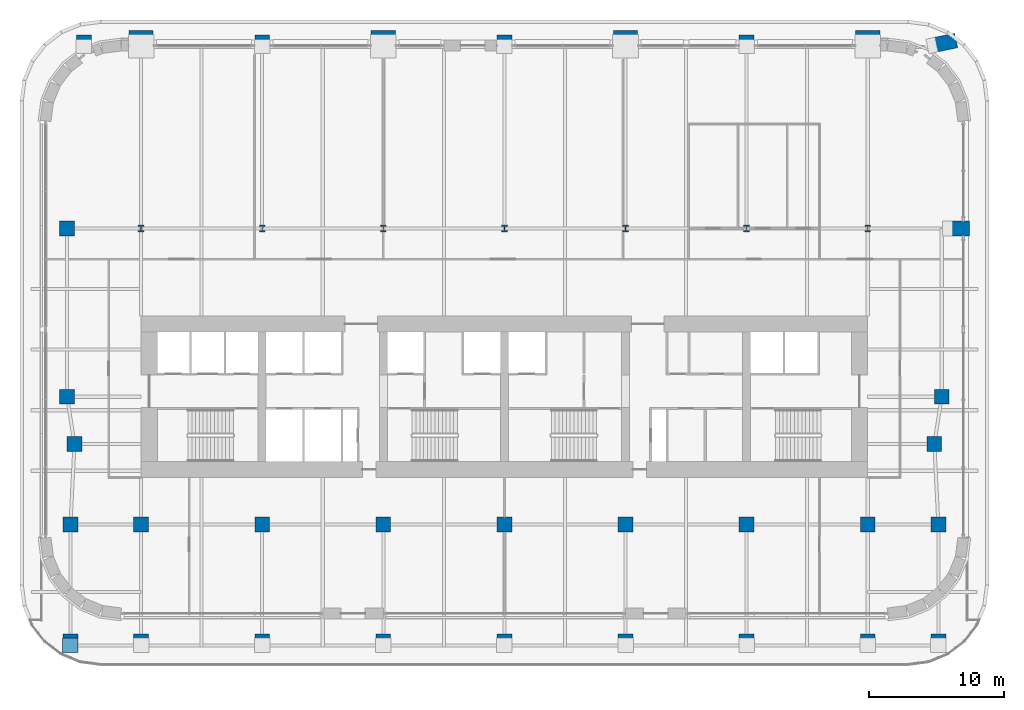
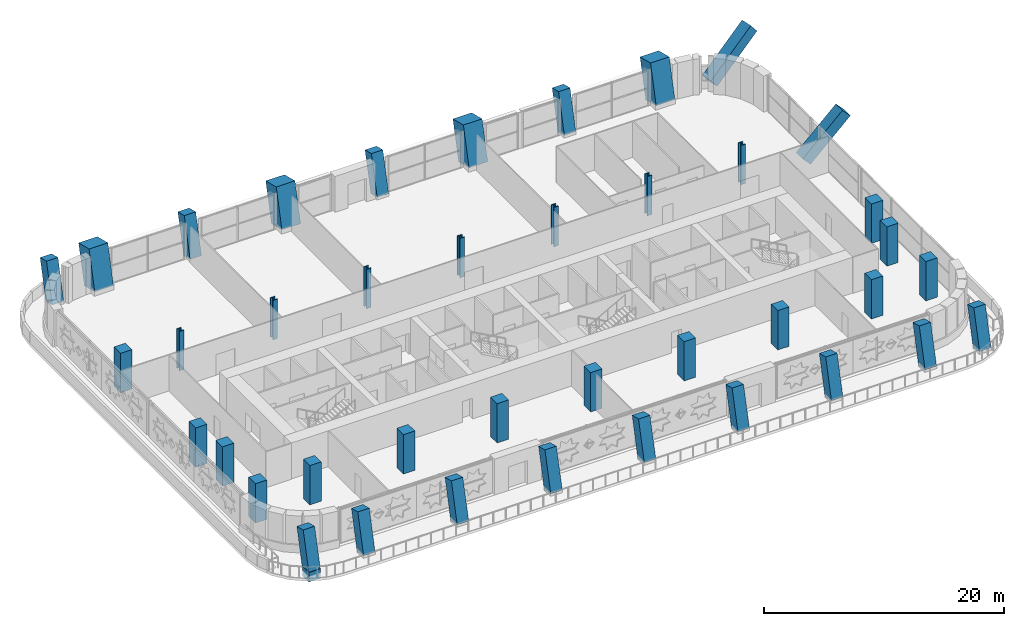
# One storey, part 1 of 26: 40 columns, 1 beam.
"""IFC4 building model written with IfcOpenShell, lengths in metres."""

from ifc_helpers import new_model, si_unit, direction, frame, origin, origin_2d, place, context, subcontext, project, spatial, rectangle, i_section, extrude, clip, halfspace, material, material_profile, profile_set, type_object, element, save


model = new_model("IFC4")

# Units and contexts
model_context = context("Model", 3, precision=1e-05, world=origin(), true_north=direction((0.0, 1.0)))
body_context = subcontext(model_context, "Body", "Model", "MODEL_VIEW")
ifc_project = project(units=[si_unit("LENGTHUNIT", "METRE"), si_unit("AREAUNIT", "SQUARE_METRE"), si_unit("VOLUMEUNIT", "CUBIC_METRE"), si_unit("PLANEANGLEUNIT", "RADIAN"), si_unit("MASSUNIT", "GRAM", prefix="KILO")], contexts=[model_context])

# Site, building, storey
site_placement = place(None, origin())
site = spatial("IfcSite", under=ifc_project, at=site_placement, CompositionType="ELEMENT")
building_placement = place(site_placement, origin())
building = spatial("IfcBuilding", under=site, at=building_placement, Name="Zellij Exchange Tower", CompositionType="ELEMENT")
storey_placement = place(building_placement, frame((0.0, 0.0, 100.5)))
storey = spatial("IfcBuildingStorey", under=building, at=storey_placement, Name="L21", CompositionType="ELEMENT", Elevation=100.5)

# Columns
ifc_material_1 = material(Name="Concrete C70/85", Category="concrete")
ifc_material_profile_1 = material_profile(ifc_material_1, rectangle(XDim=1.10009765625, YDim=1.10009765625, at=origin_2d()), Name="STR-COLUMN RC1100x1100 C70/85")
ifc_profile_set_1 = profile_set([ifc_material_profile_1], Name="Concrete C70/85")
column_type_1 = type_object("IfcColumnType", Name="STR-COLUMN RC1100x1100 C70/85", PredefinedType="COLUMN", material=ifc_profile_set_1)
for number, where, z_axis, x_axis, name in (
    (1, (-32.25, -26.5, 0.0), (0.0, 0.242535625036, 0.970142500145), (-1.0, 0.0, 0.0), "C11"),
    (2, (-27.0, -26.5, 0.0), (0.0, 0.242535625036, 0.970142500145), (-1.0, 0.0, 0.0), "C11"),
    (3, (-18.0, -26.5, 0.0), (0.0, 0.242535625036, 0.970142500145), (-1.0, 0.0, 0.0), "C11"),
    (4, (-9.0, -26.5, 0.0), (0.0, 0.242535625036, 0.970142500145), (-1.0, 0.0, 0.0), "C11"),
    (5, (0.0, -26.5, 0.0), (0.0, 0.242535625036, 0.970142500145), (-1.0, 0.0, 0.0), "C11"),
    (6, (9.0, -26.5, 0.0), (0.0, 0.242535625036, 0.970142500145), (-1.0, 0.0, 0.0), "C11"),
    (7, (18.0, -26.5, 0.0), (0.0, 0.242535625036, 0.970142500145), (-1.0, 0.0, 0.0), "C11"),
    (8, (27.0, -26.5, 0.0), (0.0, 0.242535625036, 0.970142500145), (-1.0, 0.0, 0.0), "C11"),
    (9, (32.25, -26.5, 0.0), (0.0, 0.242535625036, 0.970142500145), (-1.0, 0.0, 0.0), "C11"),
):
    element("IfcColumn", number, at=place(storey_placement, frame(where, z_axis=z_axis, x_axis=x_axis)), inside=storey, type_object=column_type_1, Name=name, PredefinedType="COLUMN", context=body_context, shape_type="Clipping", body=[
        clip(extrude(rectangle(XDim=1.10009765625, YDim=1.10009765625, at=origin_2d()), origin(), (0.0, 0.0, 1.0), 4.123046875), halfspace(frame((0.0, 0.0, 0.137451171875)), True)),
    ])
for number, where, z_axis, x_axis, name in (
    (10, (-32.25, -17.5, 0.0), (0.0, 0.0, 1.0), (1.0, 0.0, 0.0), "C11"),
    (11, (-27.0, -17.5, 0.0), (0.0, 0.0, 1.0), (1.0, 0.0, 0.0), "C11"),
    (12, (-18.0, -17.5, 0.0), (0.0, 0.0, 1.0), (1.0, 0.0, 0.0), "C11"),
    (13, (-9.0, -17.5, 0.0), (0.0, 0.0, 1.0), (1.0, 0.0, 0.0), "C11"),
    (14, (0.0, -17.5, 0.0), (0.0, 0.0, 1.0), (1.0, 0.0, 0.0), "C11"),
    (15, (9.0, -17.5, 0.0), (0.0, 0.0, 1.0), (1.0, 0.0, 0.0), "C11"),
    (16, (18.0, -17.5, 0.0), (0.0, 0.0, 1.0), (1.0, 0.0, 0.0), "C11"),
    (17, (27.0, -17.5, 0.0), (0.0, 0.0, 1.0), (1.0, 0.0, 0.0), "C11"),
    (18, (32.25, -17.5, 0.0), (0.0, 0.0, 1.0), (1.0, 0.0, 0.0), "C11"),
    (19, (-31.949951171875, -11.5, 0.0), (0.0, 0.0, 1.0), (1.0, 0.0, 0.0), "C11"),
    (20, (31.949951171875, -11.5, 0.0), (0.0, 0.0, 1.0), (1.0, 0.0, 0.0), "C11"),
    (21, (-32.5, -8.0, 0.0), (0.0, 0.0, 1.0), (1.0, 0.0, 0.0), "C11"),
    (22, (32.5, -8.0, 0.0), (0.0, 0.0, 1.0), (1.0, 0.0, 0.0), "C11"),
    (23, (-32.5, 4.5, 0.0), (0.0, 0.0, 1.0), (1.0, 0.0, 0.0), "C11"),
):
    element("IfcColumn", number, at=place(storey_placement, frame(where, z_axis=z_axis, x_axis=x_axis)), inside=storey, type_object=column_type_1, Name=name, PredefinedType="COLUMN", context=body_context, shape_type="SweptSolid", body=[
        extrude(rectangle(XDim=1.10009765625, YDim=1.10009765625, at=origin_2d()), origin(), (0.0, 0.0, 1.0), 4.0),
    ])
for number, where, z_axis, x_axis, name in (
    (24, (-31.25, 18.0, 0.0), (0.0, 0.242535625036, 0.970142500145), (-1.0, 0.0, 0.0), "C11"),
    (25, (-18.0, 18.0, 0.0), (0.0, 0.242535625036, 0.970142500145), (-1.0, 0.0, 0.0), "C11"),
    (26, (0.0, 18.0, 0.0), (0.0, 0.242535625036, 0.970142500145), (-1.0, 0.0, 0.0), "C11"),
    (27, (18.0, 18.0, 0.0), (0.0, 0.242535625036, 0.970142500145), (-1.0, 0.0, 0.0), "C11"),
):
    element("IfcColumn", number, at=place(storey_placement, frame(where, z_axis=z_axis, x_axis=x_axis)), inside=storey, type_object=column_type_1, Name=name, PredefinedType="COLUMN", context=body_context, shape_type="Clipping", body=[
        clip(extrude(rectangle(XDim=1.10009765625, YDim=1.10009765625, at=origin_2d()), origin(), (0.0, 0.0, 1.0), 4.123046875), halfspace(frame((0.0, 0.0, 0.137451171875)), True)),
    ])
ifc_material_2 = material(Name="Structural steel ASTM A913 Gr 65", Category="steel")
ifc_material_profile_2 = material_profile(ifc_material_2, i_section(OverallWidth=0.431884765625, OverallDepth=0.497802734375, WebThickness=0.0556640625, FlangeThickness=0.0888671875, at=origin_2d()), Name="W14x500")
ifc_profile_set_2 = profile_set([ifc_material_profile_2], Name="Structural steel ASTM A913 Gr 65")
column_type_2 = type_object("IfcColumnType", Name="STR-COLUMN W14x500", PredefinedType="COLUMN", material=ifc_profile_set_2)
for number, where, z_axis, x_axis, name in (
    (28, (-27.0, 4.5, 0.0), (0.0, 0.0, 1.0), (1.0, 0.0, 0.0), "C5"),
    (29, (-18.0, 4.5, 0.0), (0.0, 0.0, 1.0), (1.0, 0.0, 0.0), "C5"),
    (30, (-9.0, 4.5, 0.0), (0.0, 0.0, 1.0), (1.0, 0.0, 0.0), "C5"),
    (31, (0.0, 4.5, 0.0), (0.0, 0.0, 1.0), (1.0, 0.0, 0.0), "C5"),
    (32, (9.0, 4.5, 0.0), (0.0, 0.0, 1.0), (1.0, 0.0, 0.0), "C5"),
    (33, (18.0, 4.5, 0.0), (0.0, 0.0, 1.0), (1.0, 0.0, 0.0), "C5"),
    (34, (27.0, 4.5, 0.0), (0.0, 0.0, 1.0), (1.0, 0.0, 0.0), "C5"),
):
    element("IfcColumn", number, at=place(storey_placement, frame(where, z_axis=z_axis, x_axis=x_axis)), inside=storey, type_object=column_type_2, Name=name, PredefinedType="COLUMN", context=body_context, shape_type="SweptSolid", body=[
        extrude(i_section(OverallWidth=0.431884765625, OverallDepth=0.497802734375, WebThickness=0.0556640625, FlangeThickness=0.0888671875, at=origin_2d()), origin(), (0.0, 0.0, 1.0), 4.0),
    ])
ifc_material_profile_3 = material_profile(ifc_material_1, rectangle(XDim=1.10009765625, YDim=1.10009765625, at=origin_2d()), Name="STR-END BLOCK STRUT RC1100x1100 C70/85")
ifc_profile_set_3 = profile_set([ifc_material_profile_3], Name="Concrete C70/85")
column_type_3 = type_object("IfcColumnType", Name="STR-END BLOCK STRUT RC1100x1100 C70/85", PredefinedType="COLUMN", material=ifc_profile_set_3)
column_1_placement = place(storey_placement, frame((32.5, 4.5, 0.0), z_axis=(0.728199992693, 0.0, 0.685364699005), x_axis=(0.0, 1.0, 0.0)))
element("IfcColumn", 35, at=column_1_placement, inside=storey, type_object=column_type_3, Name="ES4", PredefinedType="COLUMN", context=body_context, shape_type="Clipping", body=[
    clip(extrude(rectangle(XDim=1.10009765625, YDim=1.10009765625, at=origin_2d()), origin(), (0.0, 0.0, 1.0), 5.83642578125), halfspace(frame((0.0, 0.0, 0.58447265625)), True)),
])
column_2_placement = place(storey_placement, frame((31.25, 18.0, 0.0), z_axis=(0.76353256999, 0.156622065639, 0.626488262556), x_axis=(-0.200944143721, 0.979602700641, 0.0)))
element("IfcColumn", 36, at=column_2_placement, inside=storey, type_object=column_type_3, Name="ES4", PredefinedType="COLUMN", context=body_context, shape_type="Clipping", body=[
    clip(extrude(rectangle(XDim=1.10009765625, YDim=1.10009765625, at=origin_2d()), origin(), (0.0, 0.0, 1.0), 6.384765625), halfspace(frame((0.0, 0.0, 0.684326171875)), True)),
])
ifc_material_profile_4 = material_profile(ifc_material_1, rectangle(XDim=1.800048828125, YDim=1.800048828125, at=origin_2d()), Name="STR-MEGA COLUMN RC1800x1800 C70/85")
ifc_profile_set_4 = profile_set([ifc_material_profile_4], Name="Concrete C70/85")
column_type_4 = type_object("IfcColumnType", Name="STR-MEGA COLUMN RC1800x1800 C70/85", PredefinedType="COLUMN", material=ifc_profile_set_4)
for number, where, z_axis, x_axis, name in (
    (37, (-27.0, 18.0, 0.0), (0.0, 0.242535625036, 0.970142500145), (-1.0, 0.0, 0.0), "MC7"),
    (38, (-9.0, 18.0, 0.0), (0.0, 0.242535625036, 0.970142500145), (-1.0, 0.0, 0.0), "MC7"),
    (39, (9.0, 18.0, 0.0), (0.0, 0.242535625036, 0.970142500145), (-1.0, 0.0, 0.0), "MC7"),
    (40, (27.0, 18.0, 0.0), (0.0, 0.242535625036, 0.970142500145), (-1.0, 0.0, 0.0), "MC7"),
):
    element("IfcColumn", number, at=place(storey_placement, frame(where, z_axis=z_axis, x_axis=x_axis)), inside=storey, type_object=column_type_4, Name=name, PredefinedType="COLUMN", context=body_context, shape_type="Clipping", body=[
        clip(extrude(rectangle(XDim=1.800048828125, YDim=1.800048828125, at=origin_2d()), origin(), (0.0, 0.0, 1.0), 4.123046875), halfspace(frame((0.0, 0.0, 0.22509765625)), True)),
    ])

# Beam
ifc_material_profile_5 = material_profile(ifc_material_1, rectangle(XDim=1.14990234375, YDim=0.949951171875, at=origin_2d()), Name="STR-KNUCKLE BLOCK RC1150x950 C70/85")
ifc_profile_set_5 = profile_set([ifc_material_profile_5], Name="Concrete C70/85")
beam_type = type_object("IfcBeamType", Name="STR-KNUCKLE BLOCK RC1150x950 C70/85", PredefinedType="BEAM", material=ifc_profile_set_5)
beam_placement = place(storey_placement, frame((-32.25, -27.000244140625, -0.074951171875), z_axis=(0.0, 1.0, 0.0), x_axis=(-1.0, 0.0, 0.0)))
element("IfcBeam", 41, at=beam_placement, inside=storey, type_object=beam_type, Name="KB5", PredefinedType="BEAM", context=body_context, shape_type="SweptSolid", body=[
    extrude(rectangle(XDim=1.14990234375, YDim=0.949951171875, at=origin_2d()), origin(), (0.0, 0.0, 1.0), 1.067138671875),
])

save(model, "model.ifc")
